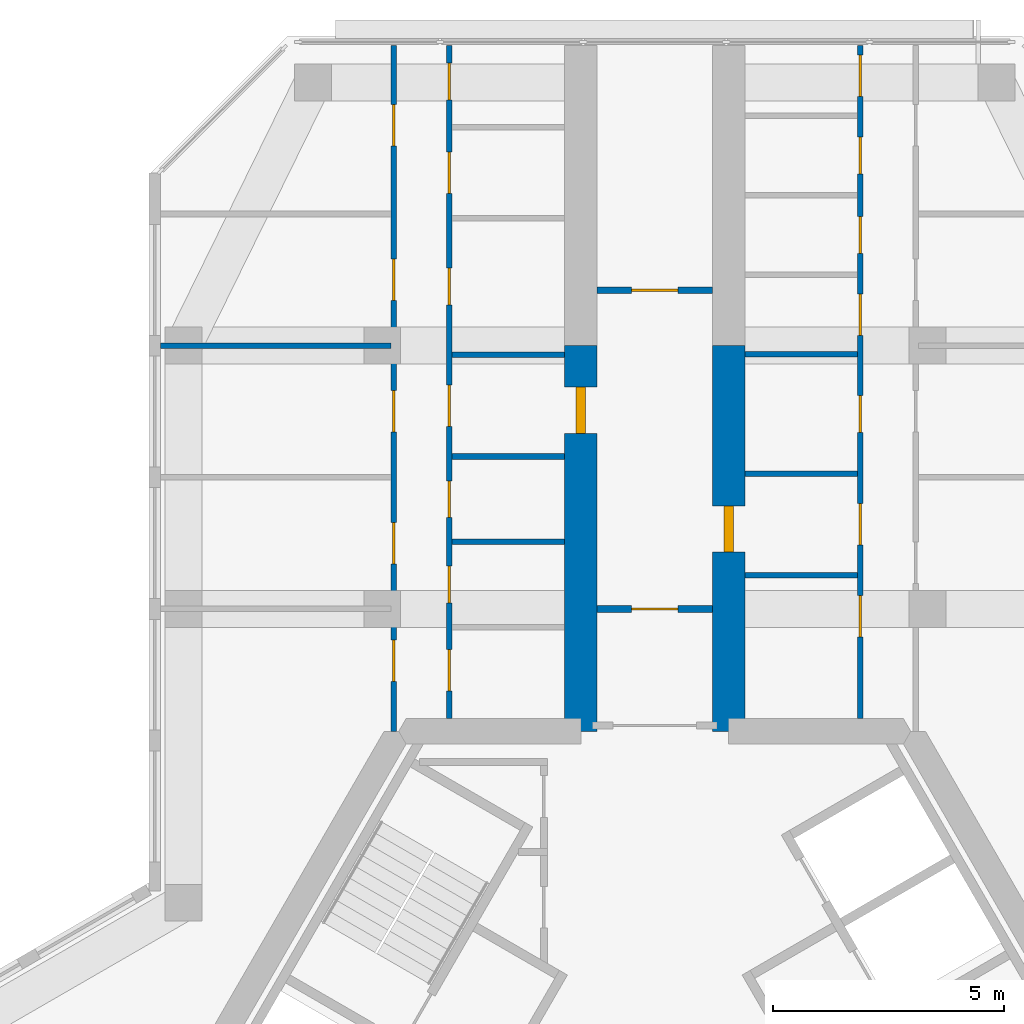
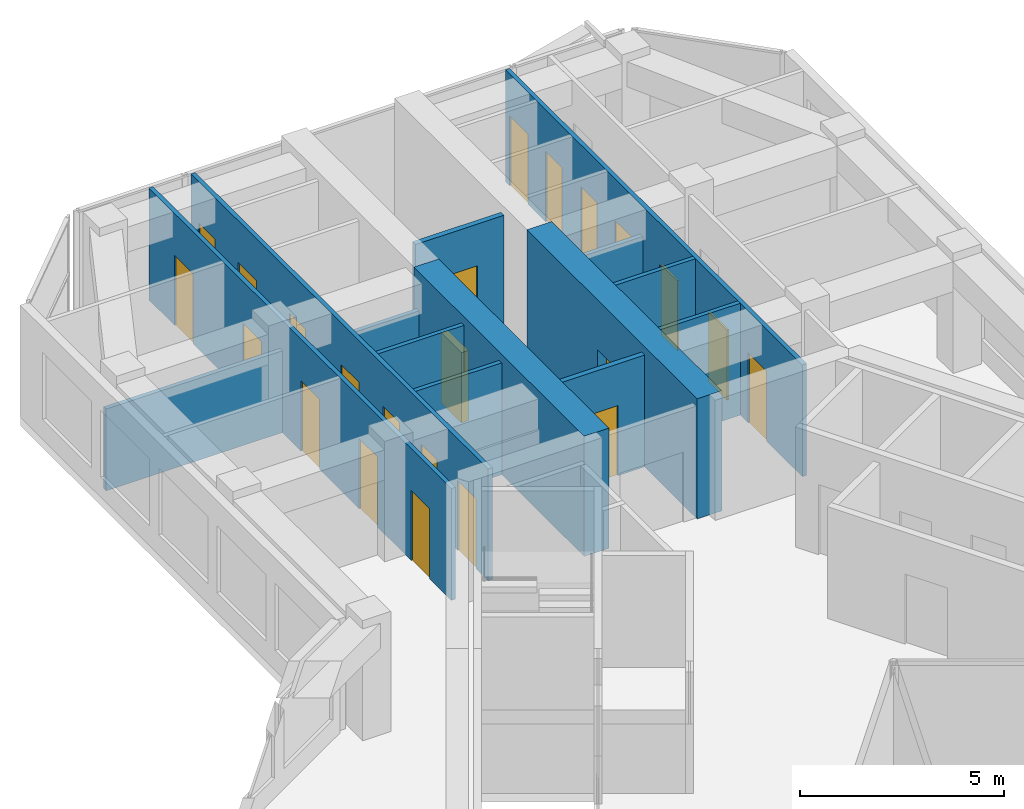
# One storey, part 12 of 14: 23 doors, 14 walls, 23 openings.
"""IFC4 building model written with IfcOpenShell, lengths in metres."""

from ifc_helpers import new_model, si_unit, direction, frame, frame_2d, origin, place, context, subcontext, project, spatial, rectangle, extrude, material, layer, layer_set, type_object, element, fill, save


model = new_model("IFC4")

# Units and contexts
model_context = context("Model", 3, precision=1e-05, world=origin(), true_north=direction((0.0, 1.0)))
body_context = subcontext(model_context, "Body", "Model", "MODEL_VIEW")
ifc_project = project(units=[si_unit("LENGTHUNIT", "METRE"), si_unit("AREAUNIT", "SQUARE_METRE"), si_unit("VOLUMEUNIT", "CUBIC_METRE"), si_unit("PLANEANGLEUNIT", "RADIAN"), si_unit("MASSUNIT", "GRAM", prefix="KILO")], contexts=[model_context])

# Site, building, storey
site_placement = place(None, origin())
site = spatial("IfcSite", under=ifc_project, at=site_placement, CompositionType="ELEMENT")
building_placement = place(site_placement, origin())
building = spatial("IfcBuilding", under=site, at=building_placement, Name="Kosmar Iwan School Tower", CompositionType="ELEMENT")
storey_placement = place(building_placement, frame((0.0, 0.0, 267.39990234375)))
storey = spatial("IfcBuildingStorey", under=building, at=storey_placement, Name="L67", CompositionType="ELEMENT", Elevation=267.39990234375)

# Wall, opening, door
ifc_material_1 = material(Name="Concrete C50/60", Category="concrete")
ifc_layer_1 = layer(ifc_material_1, 0.699951171875)
ifc_layer_set_1 = layer_set([ifc_layer_1], Name="Corridor buttress wall 700")
wall_type_1 = type_object("IfcWallType", Name="Corridor buttress wall 700", PredefinedType="SHEAR", material=ifc_layer_set_1)
wall_1_placement = place(storey_placement, frame((-1.60009765625, 9.60009765625, 0.0), z_axis=(0.0, 0.0, 1.0), x_axis=(0.0, 1.0, 0.0)))
wall_1 = element("IfcWall", 1, at=wall_1_placement, inside=storey, type_object=wall_type_1, Name="Corridor wall AL", PredefinedType="SHEAR", context=body_context, shape_type="SweptSolid", body=[
    extrude(rectangle(XDim=8.349853515625, YDim=0.699951171875, at=frame_2d((4.1748046875, 0.0))), origin(), (0.0, 0.0, 1.0), 3.60009765625),
])
opening_1_placement = place(wall_1_placement, frame((6.449951171875, 0.0, 0.0)))
opening_1 = element("IfcOpeningElement", 2, at=opening_1_placement, cuts=wall_1, Name="Opening D1", PredefinedType="OPENING", context=body_context, shape_type="SweptSolid", body=[
    extrude(rectangle(XDim=1.0, YDim=2.10009765625, at=frame_2d((0.5, 1.050048828125))), frame((0.0, 0.362060546875, 0.0), z_axis=(0.0, -1.0, 0.0), x_axis=(1.0, 0.0, 0.0)), (0.0, 0.0, 1.0), 0.723876953125),
])
ifc_material_2 = material(Name="Timber fire door in steel frame", Category="steel")
door_type_1 = type_object("IfcDoorType", Name="Flat entrance door 1000x2100", OperationType="SINGLE_SWING_LEFT", PredefinedType="DOOR", material=ifc_material_2)
door_1_placement = place(opening_1_placement, origin())
door_1 = element("IfcDoor", 3, at=door_1_placement, inside=storey, type_object=door_type_1, Name="Flat L67-AL1 entrance door", OperationType="SINGLE_SWING_LEFT", OverallHeight=2.10009765625, OverallWidth=1.0, PredefinedType="DOOR", context=body_context, shape_type="SweptSolid", body=[
    extrude(rectangle(XDim=1.0, YDim=2.10009765625, at=frame_2d((0.5, 1.050048828125))), frame((0.0, 0.10009765625, 0.0), z_axis=(0.0, -1.0, 0.0), x_axis=(1.0, 0.0, 0.0)), (0.0, 0.0, 1.0), 0.199951171875),
])
fill(opening_1, door_1)

wall_2_placement = place(storey_placement, frame((1.60009765625, 9.60009765625, 0.0), z_axis=(0.0, 0.0, 1.0), x_axis=(0.0, 1.0, 0.0)))
wall_2 = element("IfcWall", 4, at=wall_2_placement, inside=storey, type_object=wall_type_1, Name="Corridor wall AR", PredefinedType="SHEAR", context=body_context, shape_type="SweptSolid", body=[
    extrude(rectangle(XDim=8.349853515625, YDim=0.699951171875, at=frame_2d((4.1748046875, 0.0))), origin(), (0.0, 0.0, 1.0), 3.60009765625),
])
opening_2_placement = place(wall_2_placement, frame((3.8798828125, 0.0, 0.0)))
opening_2 = element("IfcOpeningElement", 5, at=opening_2_placement, cuts=wall_2, Name="Opening D1", PredefinedType="OPENING", context=body_context, shape_type="SweptSolid", body=[
    extrude(rectangle(XDim=1.0, YDim=2.10009765625, at=frame_2d((0.5, 1.050048828125))), frame((0.0, 0.362060546875, 0.0), z_axis=(0.0, -1.0, 0.0), x_axis=(1.0, 0.0, 0.0)), (0.0, 0.0, 1.0), 0.723876953125),
])
door_2_placement = place(opening_2_placement, origin())
door_2 = element("IfcDoor", 6, at=door_2_placement, inside=storey, type_object=door_type_1, Name="Flat L67-AR1 entrance door", OperationType="SINGLE_SWING_LEFT", OverallHeight=2.10009765625, OverallWidth=1.0, PredefinedType="DOOR", context=body_context, shape_type="SweptSolid", body=[
    extrude(rectangle(XDim=1.0, YDim=2.10009765625, at=frame_2d((0.5, 1.050048828125))), frame((0.0, 0.10009765625, 0.0), z_axis=(0.0, -1.0, 0.0), x_axis=(1.0, 0.0, 0.0)), (0.0, 0.0, 1.0), 0.199951171875),
])
fill(opening_2, door_2)

ifc_material_3 = material(Name="Gypsum board on steel studs, fire-rated", Category="steel")
ifc_layer_2 = layer(ifc_material_3, 0.14990234375)
ifc_layer_set_2 = layer_set([ifc_layer_2], Name="Corridor end wall 150")
wall_type_2 = type_object("IfcWallType", Name="Corridor end wall 150", PredefinedType="PARTITIONING", material=ifc_layer_set_2)
wall_3_placement = place(storey_placement, frame((1.25, 19.14990234375, 0.0), z_axis=(0.0, 0.0, 1.0), x_axis=(-1.0, 0.0, 0.0)))
wall_3 = element("IfcWall", 7, at=wall_3_placement, inside=storey, type_object=wall_type_2, Name="Partition L67-A-CE", PredefinedType="PARTITIONING", context=body_context, shape_type="SweptSolid", body=[
    extrude(rectangle(XDim=2.5, YDim=0.14990234375, at=frame_2d((1.25, 0.0))), origin(), (0.0, 0.0, 1.0), 3.35009765625),
])
opening_3_placement = place(wall_3_placement, frame((0.75, 0.0, 0.0)))
opening_3 = element("IfcOpeningElement", 8, at=opening_3_placement, cuts=wall_3, Name="Opening D13", PredefinedType="OPENING", context=body_context, shape_type="SweptSolid", body=[
    extrude(rectangle(XDim=1.0, YDim=2.10009765625, at=frame_2d((0.5, 1.050048828125))), frame((0.0, 0.0869140625, 0.0), z_axis=(0.0, -1.0, 0.0), x_axis=(1.0, 0.0, 0.0)), (0.0, 0.0, 1.0), 0.173828125),
])
ifc_material_4 = material(Name="Timber fire door with vision panel", Category="wood")
door_type_2 = type_object("IfcDoorType", Name="Corridor end door 1000x2100", OperationType="SINGLE_SWING_LEFT", PredefinedType="DOOR", material=ifc_material_4)
door_3_placement = place(opening_3_placement, origin())
door_3 = element("IfcDoor", 9, at=door_3_placement, inside=storey, type_object=door_type_2, Name="Laundry and drying room door L67-A", OperationType="SINGLE_SWING_LEFT", OverallHeight=2.10009765625, OverallWidth=1.0, PredefinedType="DOOR", context=body_context, shape_type="SweptSolid", body=[
    extrude(rectangle(XDim=1.0, YDim=2.10009765625, at=frame_2d((0.5, 1.050048828125))), frame((0.0, 0.02490234375, 0.0), z_axis=(0.0, -1.0, 0.0), x_axis=(1.0, 0.0, 0.0)), (0.0, 0.0, 1.0), 0.050048828125),
])
fill(opening_3, door_3)

wall_4_placement = place(storey_placement, frame((1.25, 12.25, 0.0), z_axis=(0.0, 0.0, 1.0), x_axis=(-1.0, 0.0, 0.0)))
wall_4 = element("IfcWall", 10, at=wall_4_placement, inside=storey, type_object=wall_type_2, Name="Partition L67-A-HW", PredefinedType="PARTITIONING", context=body_context, shape_type="SweptSolid", body=[
    extrude(rectangle(XDim=2.5, YDim=0.14990234375, at=frame_2d((1.25, 0.0))), origin(), (0.0, 0.0, 1.0), 3.35009765625),
])
opening_4_placement = place(wall_4_placement, frame((0.75, 0.0, 0.0)))
opening_4 = element("IfcOpeningElement", 11, at=opening_4_placement, cuts=wall_4, Name="Opening D13", PredefinedType="OPENING", context=body_context, shape_type="SweptSolid", body=[
    extrude(rectangle(XDim=1.0, YDim=2.10009765625, at=frame_2d((0.5, 1.050048828125))), frame((0.0, 0.0869140625, 0.0), z_axis=(0.0, -1.0, 0.0), x_axis=(1.0, 0.0, 0.0)), (0.0, 0.0, 1.0), 0.173828125),
])
door_4_placement = place(opening_4_placement, origin())
door_4 = element("IfcDoor", 12, at=door_4_placement, inside=storey, type_object=door_type_2, Name="Entrance door L67-A", OperationType="SINGLE_SWING_RIGHT", OverallHeight=2.10009765625, OverallWidth=1.0, PredefinedType="DOOR", context=body_context, shape_type="SweptSolid", body=[
    extrude(rectangle(XDim=1.0, YDim=2.10009765625, at=frame_2d((0.5, 1.050048828125))), frame((0.0, 0.02490234375, 0.0), z_axis=(0.0, -1.0, 0.0), x_axis=(1.0, 0.0, 0.0)), (0.0, 0.0, 1.0), 0.050048828125),
])
fill(opening_4, door_4)

# Wall, openings, doors
ifc_material_5 = material(Name="Gypsum board on steel studs", Category="steel")
ifc_layer_3 = layer(ifc_material_5, 0.1201171875)
ifc_layer_set_3 = layer_set([ifc_layer_3], Name="Dwelling partition 120")
wall_type_3 = type_object("IfcWallType", Name="Dwelling partition 120", PredefinedType="PARTITIONING", material=ifc_layer_set_3)
wall_5_placement = place(storey_placement, frame((-4.449951171875, 9.875, 0.0), z_axis=(0.0, 0.0, 1.0), x_axis=(0.0, 1.0, 0.0)))
wall_5 = element("IfcWall", 13, at=wall_5_placement, inside=storey, type_object=wall_type_3, Name="Partition L67-AL1-W1", PredefinedType="PARTITIONING", context=body_context, shape_type="SweptSolid", body=[
    extrude(rectangle(XDim=14.570068359375, YDim=0.1201171875, at=frame_2d((7.28515625, 0.0))), origin(), (0.0, 0.0, 1.0), 3.35009765625),
])
opening_5_placement = place(wall_5_placement, frame((0.60009765625, 0.0, 0.0)))
opening_5 = element("IfcOpeningElement", 14, at=opening_5_placement, cuts=wall_5, Name="Opening D2", PredefinedType="OPENING", context=body_context, shape_type="SweptSolid", body=[
    extrude(rectangle(XDim=0.89990234375, YDim=2.10009765625, at=frame_2d((0.449951171875, 1.050048828125))), frame((0.0, 0.072021484375, 0.0), z_axis=(0.0, -1.0, 0.0), x_axis=(1.0, 0.0, 0.0)), (0.0, 0.0, 1.0), 0.14404296875),
])
opening_6_placement = place(wall_5_placement, frame((2.5, 0.0, 0.0)))
opening_6 = element("IfcOpeningElement", 15, at=opening_6_placement, cuts=wall_5, Name="Opening D3", PredefinedType="OPENING", context=body_context, shape_type="SweptSolid", body=[
    extrude(rectangle(XDim=0.800048828125, YDim=2.10009765625, at=frame_2d((0.39990234375, 1.050048828125))), frame((0.0, 0.072021484375, 0.0), z_axis=(0.0, -1.0, 0.0), x_axis=(1.0, 0.0, 0.0)), (0.0, 0.0, 1.0), 0.14404296875),
])
opening_7_placement = place(wall_5_placement, frame((4.35009765625, 0.0, 0.0)))
opening_7 = element("IfcOpeningElement", 16, at=opening_7_placement, cuts=wall_5, Name="Opening D3", PredefinedType="OPENING", context=body_context, shape_type="SweptSolid", body=[
    extrude(rectangle(XDim=0.800048828125, YDim=2.10009765625, at=frame_2d((0.39990234375, 1.050048828125))), frame((0.0, 0.072021484375, 0.0), z_axis=(0.0, -1.0, 0.0), x_axis=(1.0, 0.0, 0.0)), (0.0, 0.0, 1.0), 0.14404296875),
])
opening_8_placement = place(wall_5_placement, frame((6.324951171875, 0.0, 0.0)))
opening_8 = element("IfcOpeningElement", 17, at=opening_8_placement, cuts=wall_5, Name="Opening D2", PredefinedType="OPENING", context=body_context, shape_type="SweptSolid", body=[
    extrude(rectangle(XDim=0.89990234375, YDim=2.10009765625, at=frame_2d((0.449951171875, 1.050048828125))), frame((0.0, 0.072021484375, 0.0), z_axis=(0.0, -1.0, 0.0), x_axis=(1.0, 0.0, 0.0)), (0.0, 0.0, 1.0), 0.14404296875),
])
opening_9_placement = place(wall_5_placement, frame((8.95361328125, 0.0, 0.0)))
opening_9 = element("IfcOpeningElement", 18, at=opening_9_placement, cuts=wall_5, Name="Opening D3", PredefinedType="OPENING", context=body_context, shape_type="SweptSolid", body=[
    extrude(rectangle(XDim=0.800048828125, YDim=2.10009765625, at=frame_2d((0.39990234375, 1.050048828125))), frame((0.0, 0.072021484375, 0.0), z_axis=(0.0, -1.0, 0.0), x_axis=(1.0, 0.0, 0.0)), (0.0, 0.0, 1.0), 0.14404296875),
])
opening_10_placement = place(wall_5_placement, frame((11.367919921875, 0.0, 0.0)))
opening_10 = element("IfcOpeningElement", 19, at=opening_10_placement, cuts=wall_5, Name="Opening D2", PredefinedType="OPENING", context=body_context, shape_type="SweptSolid", body=[
    extrude(rectangle(XDim=0.89990234375, YDim=2.10009765625, at=frame_2d((0.449951171875, 1.050048828125))), frame((0.0, 0.072021484375, 0.0), z_axis=(0.0, -1.0, 0.0), x_axis=(1.0, 0.0, 0.0)), (0.0, 0.0, 1.0), 0.14404296875),
])
opening_11_placement = place(wall_5_placement, frame((13.389404296875, 0.0, 0.0)))
opening_11 = element("IfcOpeningElement", 20, at=opening_11_placement, cuts=wall_5, Name="Opening D3", PredefinedType="OPENING", context=body_context, shape_type="SweptSolid", body=[
    extrude(rectangle(XDim=0.800048828125, YDim=2.10009765625, at=frame_2d((0.39990234375, 1.050048828125))), frame((0.0, 0.072021484375, 0.0), z_axis=(0.0, -1.0, 0.0), x_axis=(1.0, 0.0, 0.0)), (0.0, 0.0, 1.0), 0.14404296875),
])
ifc_material_6 = material(Name="Timber door in timber frame", Category="wood")
door_type_3 = type_object("IfcDoorType", Name="Internal door 900x2100", OperationType="SINGLE_SWING_LEFT", PredefinedType="DOOR", material=ifc_material_6)
door_5_placement = place(opening_5_placement, origin())
door_5 = element("IfcDoor", 21, at=door_5_placement, inside=storey, type_object=door_type_3, Name="Utility room door L67-AL1-S1", OperationType="SINGLE_SWING_LEFT", OverallHeight=2.10009765625, OverallWidth=0.89990234375, PredefinedType="DOOR", context=body_context, shape_type="SweptSolid", body=[
    extrude(rectangle(XDim=0.89990234375, YDim=2.10009765625, at=frame_2d((0.449951171875, 1.050048828125))), frame((0.0, 0.02490234375, 0.0), z_axis=(0.0, -1.0, 0.0), x_axis=(1.0, 0.0, 0.0)), (0.0, 0.0, 1.0), 0.050048828125),
])
fill(opening_5, door_5)
door_6_placement = place(opening_8_placement, origin())
door_6 = element("IfcDoor", 22, at=door_6_placement, inside=storey, type_object=door_type_3, Name="Entrance hall door L67-AL1-S4", OperationType="SINGLE_SWING_LEFT", OverallHeight=2.10009765625, OverallWidth=0.89990234375, PredefinedType="DOOR", context=body_context, shape_type="SweptSolid", body=[
    extrude(rectangle(XDim=0.89990234375, YDim=2.10009765625, at=frame_2d((0.449951171875, 1.050048828125))), frame((0.0, 0.02490234375, 0.0), z_axis=(0.0, -1.0, 0.0), x_axis=(1.0, 0.0, 0.0)), (0.0, 0.0, 1.0), 0.050048828125),
])
fill(opening_8, door_6)
door_7_placement = place(opening_10_placement, origin())
door_7 = element("IfcDoor", 23, at=door_7_placement, inside=storey, type_object=door_type_3, Name="Pantry door L67-AL1-S6", OperationType="SINGLE_SWING_RIGHT", OverallHeight=2.10009765625, OverallWidth=0.89990234375, PredefinedType="DOOR", context=body_context, shape_type="SweptSolid", body=[
    extrude(rectangle(XDim=0.89990234375, YDim=2.10009765625, at=frame_2d((0.449951171875, 1.050048828125))), frame((0.0, 0.02490234375, 0.0), z_axis=(0.0, -1.0, 0.0), x_axis=(1.0, 0.0, 0.0)), (0.0, 0.0, 1.0), 0.050048828125),
])
fill(opening_10, door_7)
ifc_material_7 = material(Name="Timber door in timber frame", Category="wood")
door_type_4 = type_object("IfcDoorType", Name="Sanitary room door 800x2100", OperationType="SINGLE_SWING_LEFT", PredefinedType="DOOR", material=ifc_material_7)
door_8_placement = place(opening_6_placement, origin())
door_8 = element("IfcDoor", 24, at=door_8_placement, inside=storey, type_object=door_type_4, Name="WC door L67-AL1-S2", OperationType="SINGLE_SWING_LEFT", OverallHeight=2.10009765625, OverallWidth=0.800048828125, PredefinedType="DOOR", context=body_context, shape_type="SweptSolid", body=[
    extrude(rectangle(XDim=0.800048828125, YDim=2.10009765625, at=frame_2d((0.39990234375, 1.050048828125))), frame((0.0, 0.02490234375, 0.0), z_axis=(0.0, -1.0, 0.0), x_axis=(1.0, 0.0, 0.0)), (0.0, 0.0, 1.0), 0.050048828125),
])
fill(opening_6, door_8)
door_9_placement = place(opening_7_placement, origin())
door_9 = element("IfcDoor", 25, at=door_9_placement, inside=storey, type_object=door_type_4, Name="Shower room door L67-AL1-S3", OperationType="SINGLE_SWING_LEFT", OverallHeight=2.10009765625, OverallWidth=0.800048828125, PredefinedType="DOOR", context=body_context, shape_type="SweptSolid", body=[
    extrude(rectangle(XDim=0.800048828125, YDim=2.10009765625, at=frame_2d((0.39990234375, 1.050048828125))), frame((0.0, 0.02490234375, 0.0), z_axis=(0.0, -1.0, 0.0), x_axis=(1.0, 0.0, 0.0)), (0.0, 0.0, 1.0), 0.050048828125),
])
fill(opening_7, door_9)
door_10_placement = place(opening_9_placement, origin())
door_10 = element("IfcDoor", 26, at=door_10_placement, inside=storey, type_object=door_type_4, Name="Bathroom door L67-AL1-S5", OperationType="SINGLE_SWING_RIGHT", OverallHeight=2.10009765625, OverallWidth=0.800048828125, PredefinedType="DOOR", context=body_context, shape_type="SweptSolid", body=[
    extrude(rectangle(XDim=0.800048828125, YDim=2.10009765625, at=frame_2d((0.39990234375, 1.050048828125))), frame((0.0, 0.02490234375, 0.0), z_axis=(0.0, -1.0, 0.0), x_axis=(1.0, 0.0, 0.0)), (0.0, 0.0, 1.0), 0.050048828125),
])
fill(opening_9, door_10)
door_11_placement = place(opening_11_placement, origin())
door_11 = element("IfcDoor", 27, at=door_11_placement, inside=storey, type_object=door_type_4, Name="Store door L67-AL1-S7", OperationType="SINGLE_SWING_RIGHT", OverallHeight=2.10009765625, OverallWidth=0.800048828125, PredefinedType="DOOR", context=body_context, shape_type="SweptSolid", body=[
    extrude(rectangle(XDim=0.800048828125, YDim=2.10009765625, at=frame_2d((0.39990234375, 1.050048828125))), frame((0.0, 0.02490234375, 0.0), z_axis=(0.0, -1.0, 0.0), x_axis=(1.0, 0.0, 0.0)), (0.0, 0.0, 1.0), 0.050048828125),
])
fill(opening_11, door_11)

wall_6_placement = place(storey_placement, frame((-5.64990234375, 9.60009765625, 0.0), z_axis=(0.0, 0.0, 1.0), x_axis=(0.0, 1.0, 0.0)))
wall_6 = element("IfcWall", 28, at=wall_6_placement, inside=storey, type_object=wall_type_3, Name="Partition L67-AL1-W2", PredefinedType="PARTITIONING", context=body_context, shape_type="SweptSolid", body=[
    extrude(rectangle(XDim=14.844970703125, YDim=0.1201171875, at=frame_2d((7.42236328125, 0.0))), origin(), (0.0, 0.0, 1.0), 3.35009765625),
])
opening_12_placement = place(wall_6_placement, frame((1.074951171875, 0.0, 0.0)))
opening_12 = element("IfcOpeningElement", 29, at=opening_12_placement, cuts=wall_6, Name="Opening D2", PredefinedType="OPENING", context=body_context, shape_type="SweptSolid", body=[
    extrude(rectangle(XDim=0.89990234375, YDim=2.10009765625, at=frame_2d((0.449951171875, 1.050048828125))), frame((0.0, 0.072021484375, 0.0), z_axis=(0.0, -1.0, 0.0), x_axis=(1.0, 0.0, 0.0)), (0.0, 0.0, 1.0), 0.14404296875),
])
opening_13_placement = place(wall_6_placement, frame((3.625, 0.0, 0.0)))
opening_13 = element("IfcOpeningElement", 30, at=opening_13_placement, cuts=wall_6, Name="Opening D2", PredefinedType="OPENING", context=body_context, shape_type="SweptSolid", body=[
    extrude(rectangle(XDim=0.89990234375, YDim=2.10009765625, at=frame_2d((0.449951171875, 1.050048828125))), frame((0.0, 0.072021484375, 0.0), z_axis=(0.0, -1.0, 0.0), x_axis=(1.0, 0.0, 0.0)), (0.0, 0.0, 1.0), 0.14404296875),
])
opening_14_placement = place(wall_6_placement, frame((6.47509765625, 0.0, 0.0)))
opening_14 = element("IfcOpeningElement", 31, at=opening_14_placement, cuts=wall_6, Name="Opening D2", PredefinedType="OPENING", context=body_context, shape_type="SweptSolid", body=[
    extrude(rectangle(XDim=0.89990234375, YDim=2.10009765625, at=frame_2d((0.449951171875, 1.050048828125))), frame((0.0, 0.072021484375, 0.0), z_axis=(0.0, -1.0, 0.0), x_axis=(1.0, 0.0, 0.0)), (0.0, 0.0, 1.0), 0.14404296875),
])
opening_15_placement = place(wall_6_placement, frame((9.324951171875, 0.0, 0.0)))
opening_15 = element("IfcOpeningElement", 32, at=opening_15_placement, cuts=wall_6, Name="Opening D2", PredefinedType="OPENING", context=body_context, shape_type="SweptSolid", body=[
    extrude(rectangle(XDim=0.89990234375, YDim=2.10009765625, at=frame_2d((0.449951171875, 1.050048828125))), frame((0.0, 0.072021484375, 0.0), z_axis=(0.0, -1.0, 0.0), x_axis=(1.0, 0.0, 0.0)), (0.0, 0.0, 1.0), 0.14404296875),
])
opening_16_placement = place(wall_6_placement, frame((12.675048828125, 0.0, 0.0)))
opening_16 = element("IfcOpeningElement", 33, at=opening_16_placement, cuts=wall_6, Name="Opening D2", PredefinedType="OPENING", context=body_context, shape_type="SweptSolid", body=[
    extrude(rectangle(XDim=0.89990234375, YDim=2.10009765625, at=frame_2d((0.449951171875, 1.050048828125))), frame((0.0, 0.072021484375, 0.0), z_axis=(0.0, -1.0, 0.0), x_axis=(1.0, 0.0, 0.0)), (0.0, 0.0, 1.0), 0.14404296875),
])
door_12_placement = place(opening_12_placement, origin())
door_12 = element("IfcDoor", 34, at=door_12_placement, inside=storey, type_object=door_type_3, Name="Living room door L67-AL1-F1", OperationType="SINGLE_SWING_LEFT", OverallHeight=2.10009765625, OverallWidth=0.89990234375, PredefinedType="DOOR", context=body_context, shape_type="SweptSolid", body=[
    extrude(rectangle(XDim=0.89990234375, YDim=2.10009765625, at=frame_2d((0.449951171875, 1.050048828125))), frame((0.0, 0.02490234375, 0.0), z_axis=(0.0, -1.0, 0.0), x_axis=(1.0, 0.0, 0.0)), (0.0, 0.0, 1.0), 0.050048828125),
])
fill(opening_12, door_12)
door_13_placement = place(opening_13_placement, origin())
door_13 = element("IfcDoor", 35, at=door_13_placement, inside=storey, type_object=door_type_3, Name="Study door L67-AL1-F2", OperationType="SINGLE_SWING_RIGHT", OverallHeight=2.10009765625, OverallWidth=0.89990234375, PredefinedType="DOOR", context=body_context, shape_type="SweptSolid", body=[
    extrude(rectangle(XDim=0.89990234375, YDim=2.10009765625, at=frame_2d((0.449951171875, 1.050048828125))), frame((0.0, 0.02490234375, 0.0), z_axis=(0.0, -1.0, 0.0), x_axis=(1.0, 0.0, 0.0)), (0.0, 0.0, 1.0), 0.050048828125),
])
fill(opening_13, door_13)
door_14_placement = place(opening_14_placement, origin())
door_14 = element("IfcDoor", 36, at=door_14_placement, inside=storey, type_object=door_type_3, Name="Bedroom 2 door L67-AL1-F3", OperationType="SINGLE_SWING_LEFT", OverallHeight=2.10009765625, OverallWidth=0.89990234375, PredefinedType="DOOR", context=body_context, shape_type="SweptSolid", body=[
    extrude(rectangle(XDim=0.89990234375, YDim=2.10009765625, at=frame_2d((0.449951171875, 1.050048828125))), frame((0.0, 0.02490234375, 0.0), z_axis=(0.0, -1.0, 0.0), x_axis=(1.0, 0.0, 0.0)), (0.0, 0.0, 1.0), 0.050048828125),
])
fill(opening_14, door_14)
door_15_placement = place(opening_15_placement, origin())
door_15 = element("IfcDoor", 37, at=door_15_placement, inside=storey, type_object=door_type_3, Name="Kitchen and dining room door L67-AL1-F4", OperationType="SINGLE_SWING_RIGHT", OverallHeight=2.10009765625, OverallWidth=0.89990234375, PredefinedType="DOOR", context=body_context, shape_type="SweptSolid", body=[
    extrude(rectangle(XDim=0.89990234375, YDim=2.10009765625, at=frame_2d((0.449951171875, 1.050048828125))), frame((0.0, 0.02490234375, 0.0), z_axis=(0.0, -1.0, 0.0), x_axis=(1.0, 0.0, 0.0)), (0.0, 0.0, 1.0), 0.050048828125),
])
fill(opening_15, door_15)
door_16_placement = place(opening_16_placement, origin())
door_16 = element("IfcDoor", 38, at=door_16_placement, inside=storey, type_object=door_type_3, Name="Bedroom 1 door L67-AL1-F5", OperationType="SINGLE_SWING_RIGHT", OverallHeight=2.10009765625, OverallWidth=0.89990234375, PredefinedType="DOOR", context=body_context, shape_type="SweptSolid", body=[
    extrude(rectangle(XDim=0.89990234375, YDim=2.10009765625, at=frame_2d((0.449951171875, 1.050048828125))), frame((0.0, 0.02490234375, 0.0), z_axis=(0.0, -1.0, 0.0), x_axis=(1.0, 0.0, 0.0)), (0.0, 0.0, 1.0), 0.050048828125),
])
fill(opening_16, door_16)

# Walls
wall_7_placement = place(storey_placement, frame((-5.7099609375, 17.949951171875, 0.0), z_axis=(0.0, 0.0, 1.0), x_axis=(-1.0, 0.0, 0.0)))
element("IfcWall", 39, at=wall_7_placement, inside=storey, type_object=wall_type_3, Name="Partition L67-AL1-X3", PredefinedType="PARTITIONING", context=body_context, shape_type="SweptSolid", body=[
    extrude(rectangle(XDim=4.989990234375, YDim=0.1201171875, at=frame_2d((2.4951171875, 0.0))), origin(), (0.0, 0.0, 1.0), 2.4501953125),
])
for number, where, z_axis, x_axis, name in (
    (40, (-1.949951171875, 13.699951171875, 0.0), (0.0, 0.0, 1.0), (-1.0, 0.0, 0.0), "Partition L67-AL1-Y2"),
    (41, (-1.949951171875, 15.550048828125, 0.0), (0.0, 0.0, 1.0), (-1.0, 0.0, 0.0), "Partition L67-AL1-Y3"),
):
    element("IfcWall", number, at=place(storey_placement, frame(where, z_axis=z_axis, x_axis=x_axis)), inside=storey, type_object=wall_type_3, Name=name, PredefinedType="PARTITIONING", context=body_context, shape_type="SweptSolid", body=[
        extrude(rectangle(XDim=2.43994140625, YDim=0.1201171875, at=frame_2d((1.219970703125, 0.0))), origin(), (0.0, 0.0, 1.0), 3.35009765625),
    ])
wall_8_placement = place(storey_placement, frame((-1.949951171875, 17.75, 0.0), z_axis=(0.0, 0.0, 1.0), x_axis=(-1.0, 0.0, 0.0)))
element("IfcWall", 42, at=wall_8_placement, inside=storey, type_object=wall_type_3, Name="Partition L67-AL1-Y4", PredefinedType="PARTITIONING", context=body_context, shape_type="SweptSolid", body=[
    extrude(rectangle(XDim=2.43994140625, YDim=0.1201171875, at=frame_2d((1.219970703125, 0.0))), origin(), (0.0, 0.0, 1.0), 2.4501953125),
])

# Wall, openings, doors
wall_9_placement = place(storey_placement, frame((4.449951171875, 9.875, 0.0), z_axis=(0.0, 0.0, 1.0), x_axis=(0.0, 1.0, 0.0)))
wall_9 = element("IfcWall", 43, at=wall_9_placement, inside=storey, type_object=wall_type_3, Name="Partition L67-AR1-W1", PredefinedType="PARTITIONING", context=body_context, shape_type="SweptSolid", body=[
    extrude(rectangle(XDim=14.570068359375, YDim=0.1201171875, at=frame_2d((7.28515625, 0.0))), origin(), (0.0, 0.0, 1.0), 3.35009765625),
])
opening_17_placement = place(wall_9_placement, frame((1.764892578125, 0.0, 0.0)))
opening_17 = element("IfcOpeningElement", 44, at=opening_17_placement, cuts=wall_9, Name="Opening D2", PredefinedType="OPENING", context=body_context, shape_type="SweptSolid", body=[
    extrude(rectangle(XDim=0.89990234375, YDim=2.10009765625, at=frame_2d((0.449951171875, 1.050048828125))), frame((0.0, 0.072021484375, 0.0), z_axis=(0.0, -1.0, 0.0), x_axis=(1.0, 0.0, 0.0)), (0.0, 0.0, 1.0), 0.14404296875),
])
opening_18_placement = place(wall_9_placement, frame((3.755126953125, 0.0, 0.0)))
opening_18 = element("IfcOpeningElement", 45, at=opening_18_placement, cuts=wall_9, Name="Opening D2", PredefinedType="OPENING", context=body_context, shape_type="SweptSolid", body=[
    extrude(rectangle(XDim=0.89990234375, YDim=2.10009765625, at=frame_2d((0.449951171875, 1.050048828125))), frame((0.0, 0.072021484375, 0.0), z_axis=(0.0, -1.0, 0.0), x_axis=(1.0, 0.0, 0.0)), (0.0, 0.0, 1.0), 0.14404296875),
])
opening_19_placement = place(wall_9_placement, frame((6.1962890625, 0.0, 0.0)))
opening_19 = element("IfcOpeningElement", 46, at=opening_19_placement, cuts=wall_9, Name="Opening D3", PredefinedType="OPENING", context=body_context, shape_type="SweptSolid", body=[
    extrude(rectangle(XDim=0.800048828125, YDim=2.10009765625, at=frame_2d((0.39990234375, 1.050048828125))), frame((0.0, 0.072021484375, 0.0), z_axis=(0.0, -1.0, 0.0), x_axis=(1.0, 0.0, 0.0)), (0.0, 0.0, 1.0), 0.14404296875),
])
opening_20_placement = place(wall_9_placement, frame((8.298583984375, 0.0, 0.0)))
opening_20 = element("IfcOpeningElement", 47, at=opening_20_placement, cuts=wall_9, Name="Opening D2", PredefinedType="OPENING", context=body_context, shape_type="SweptSolid", body=[
    extrude(rectangle(XDim=0.89990234375, YDim=2.10009765625, at=frame_2d((0.449951171875, 1.050048828125))), frame((0.0, 0.072021484375, 0.0), z_axis=(0.0, -1.0, 0.0), x_axis=(1.0, 0.0, 0.0)), (0.0, 0.0, 1.0), 0.14404296875),
])
opening_21_placement = place(wall_9_placement, frame((10.070556640625, 0.0, 0.0)))
opening_21 = element("IfcOpeningElement", 48, at=opening_21_placement, cuts=wall_9, Name="Opening D3", PredefinedType="OPENING", context=body_context, shape_type="SweptSolid", body=[
    extrude(rectangle(XDim=0.800048828125, YDim=2.10009765625, at=frame_2d((0.39990234375, 1.050048828125))), frame((0.0, 0.072021484375, 0.0), z_axis=(0.0, -1.0, 0.0), x_axis=(1.0, 0.0, 0.0)), (0.0, 0.0, 1.0), 0.14404296875),
])
opening_22_placement = place(wall_9_placement, frame((11.792236328125, 0.0, 0.0)))
opening_22 = element("IfcOpeningElement", 49, at=opening_22_placement, cuts=wall_9, Name="Opening D3", PredefinedType="OPENING", context=body_context, shape_type="SweptSolid", body=[
    extrude(rectangle(XDim=0.800048828125, YDim=2.10009765625, at=frame_2d((0.39990234375, 1.050048828125))), frame((0.0, 0.072021484375, 0.0), z_axis=(0.0, -1.0, 0.0), x_axis=(1.0, 0.0, 0.0)), (0.0, 0.0, 1.0), 0.14404296875),
])
opening_23_placement = place(wall_9_placement, frame((13.464111328125, 0.0, 0.0)))
opening_23 = element("IfcOpeningElement", 50, at=opening_23_placement, cuts=wall_9, Name="Opening D2", PredefinedType="OPENING", context=body_context, shape_type="SweptSolid", body=[
    extrude(rectangle(XDim=0.89990234375, YDim=2.10009765625, at=frame_2d((0.449951171875, 1.050048828125))), frame((0.0, 0.072021484375, 0.0), z_axis=(0.0, -1.0, 0.0), x_axis=(1.0, 0.0, 0.0)), (0.0, 0.0, 1.0), 0.14404296875),
])
door_17_placement = place(opening_17_placement, origin())
door_17 = element("IfcDoor", 51, at=door_17_placement, inside=storey, type_object=door_type_3, Name="Utility room door L67-AR1-S1", OperationType="SINGLE_SWING_RIGHT", OverallHeight=2.10009765625, OverallWidth=0.89990234375, PredefinedType="DOOR", context=body_context, shape_type="SweptSolid", body=[
    extrude(rectangle(XDim=0.89990234375, YDim=2.10009765625, at=frame_2d((0.449951171875, 1.050048828125))), frame((0.0, 0.02490234375, 0.0), z_axis=(0.0, -1.0, 0.0), x_axis=(1.0, 0.0, 0.0)), (0.0, 0.0, 1.0), 0.050048828125),
])
fill(opening_17, door_17)
door_18_placement = place(opening_18_placement, origin())
door_18 = element("IfcDoor", 52, at=door_18_placement, inside=storey, type_object=door_type_3, Name="Entrance hall door L67-AR1-S2", OperationType="SINGLE_SWING_RIGHT", OverallHeight=2.10009765625, OverallWidth=0.89990234375, PredefinedType="DOOR", context=body_context, shape_type="SweptSolid", body=[
    extrude(rectangle(XDim=0.89990234375, YDim=2.10009765625, at=frame_2d((0.449951171875, 1.050048828125))), frame((0.0, 0.02490234375, 0.0), z_axis=(0.0, -1.0, 0.0), x_axis=(1.0, 0.0, 0.0)), (0.0, 0.0, 1.0), 0.050048828125),
])
fill(opening_18, door_18)
door_19_placement = place(opening_20_placement, origin())
door_19 = element("IfcDoor", 53, at=door_19_placement, inside=storey, type_object=door_type_3, Name="Pantry door L67-AR1-S4", OperationType="SINGLE_SWING_RIGHT", OverallHeight=2.10009765625, OverallWidth=0.89990234375, PredefinedType="DOOR", context=body_context, shape_type="SweptSolid", body=[
    extrude(rectangle(XDim=0.89990234375, YDim=2.10009765625, at=frame_2d((0.449951171875, 1.050048828125))), frame((0.0, 0.02490234375, 0.0), z_axis=(0.0, -1.0, 0.0), x_axis=(1.0, 0.0, 0.0)), (0.0, 0.0, 1.0), 0.050048828125),
])
fill(opening_20, door_19)
door_20_placement = place(opening_23_placement, origin())
door_20 = element("IfcDoor", 54, at=door_20_placement, inside=storey, type_object=door_type_3, Name="Dressing room door L67-AR1-S7", OperationType="SINGLE_SWING_RIGHT", OverallHeight=2.10009765625, OverallWidth=0.89990234375, PredefinedType="DOOR", context=body_context, shape_type="SweptSolid", body=[
    extrude(rectangle(XDim=0.89990234375, YDim=2.10009765625, at=frame_2d((0.449951171875, 1.050048828125))), frame((0.0, 0.02490234375, 0.0), z_axis=(0.0, -1.0, 0.0), x_axis=(1.0, 0.0, 0.0)), (0.0, 0.0, 1.0), 0.050048828125),
])
fill(opening_23, door_20)
door_21_placement = place(opening_19_placement, origin())
door_21 = element("IfcDoor", 55, at=door_21_placement, inside=storey, type_object=door_type_4, Name="Bathroom door L67-AR1-S3", OperationType="SINGLE_SWING_LEFT", OverallHeight=2.10009765625, OverallWidth=0.800048828125, PredefinedType="DOOR", context=body_context, shape_type="SweptSolid", body=[
    extrude(rectangle(XDim=0.800048828125, YDim=2.10009765625, at=frame_2d((0.39990234375, 1.050048828125))), frame((0.0, 0.02490234375, 0.0), z_axis=(0.0, -1.0, 0.0), x_axis=(1.0, 0.0, 0.0)), (0.0, 0.0, 1.0), 0.050048828125),
])
fill(opening_19, door_21)
door_22_placement = place(opening_21_placement, origin())
door_22 = element("IfcDoor", 56, at=door_22_placement, inside=storey, type_object=door_type_4, Name="WC door L67-AR1-S5", OperationType="SINGLE_SWING_LEFT", OverallHeight=2.10009765625, OverallWidth=0.800048828125, PredefinedType="DOOR", context=body_context, shape_type="SweptSolid", body=[
    extrude(rectangle(XDim=0.800048828125, YDim=2.10009765625, at=frame_2d((0.39990234375, 1.050048828125))), frame((0.0, 0.02490234375, 0.0), z_axis=(0.0, -1.0, 0.0), x_axis=(1.0, 0.0, 0.0)), (0.0, 0.0, 1.0), 0.050048828125),
])
fill(opening_21, door_22)
door_23_placement = place(opening_22_placement, origin())
door_23 = element("IfcDoor", 57, at=door_23_placement, inside=storey, type_object=door_type_4, Name="Store door L67-AR1-S6", OperationType="SINGLE_SWING_RIGHT", OverallHeight=2.10009765625, OverallWidth=0.800048828125, PredefinedType="DOOR", context=body_context, shape_type="SweptSolid", body=[
    extrude(rectangle(XDim=0.800048828125, YDim=2.10009765625, at=frame_2d((0.39990234375, 1.050048828125))), frame((0.0, 0.02490234375, 0.0), z_axis=(0.0, -1.0, 0.0), x_axis=(1.0, 0.0, 0.0)), (0.0, 0.0, 1.0), 0.050048828125),
])
fill(opening_22, door_23)

# Walls
for number, where, z_axis, x_axis, name in (
    (58, (1.949951171875, 12.97998046875, 0.0), (0.0, 0.0, 1.0), (1.0, 0.0, 0.0), "Partition L67-AR1-Y1"),
    (59, (1.949951171875, 15.179931640625, 0.0), (0.0, 0.0, 1.0), (1.0, 0.0, 0.0), "Partition L67-AR1-Y2"),
):
    element("IfcWall", number, at=place(storey_placement, frame(where, z_axis=z_axis, x_axis=x_axis)), inside=storey, type_object=wall_type_3, Name=name, PredefinedType="PARTITIONING", context=body_context, shape_type="SweptSolid", body=[
        extrude(rectangle(XDim=2.43994140625, YDim=0.1201171875, at=frame_2d((1.219970703125, 0.0))), origin(), (0.0, 0.0, 1.0), 3.35009765625),
    ])
wall_10_placement = place(storey_placement, frame((1.949951171875, 17.7626953125, 0.0), z_axis=(0.0, 0.0, 1.0), x_axis=(1.0, 0.0, 0.0)))
element("IfcWall", 60, at=wall_10_placement, inside=storey, type_object=wall_type_3, Name="Partition L67-AR1-Y3", PredefinedType="PARTITIONING", context=body_context, shape_type="SweptSolid", body=[
    extrude(rectangle(XDim=2.43994140625, YDim=0.1201171875, at=frame_2d((1.219970703125, 0.0))), origin(), (0.0, 0.0, 1.0), 2.4501953125),
])

save(model, "model.ifc")
